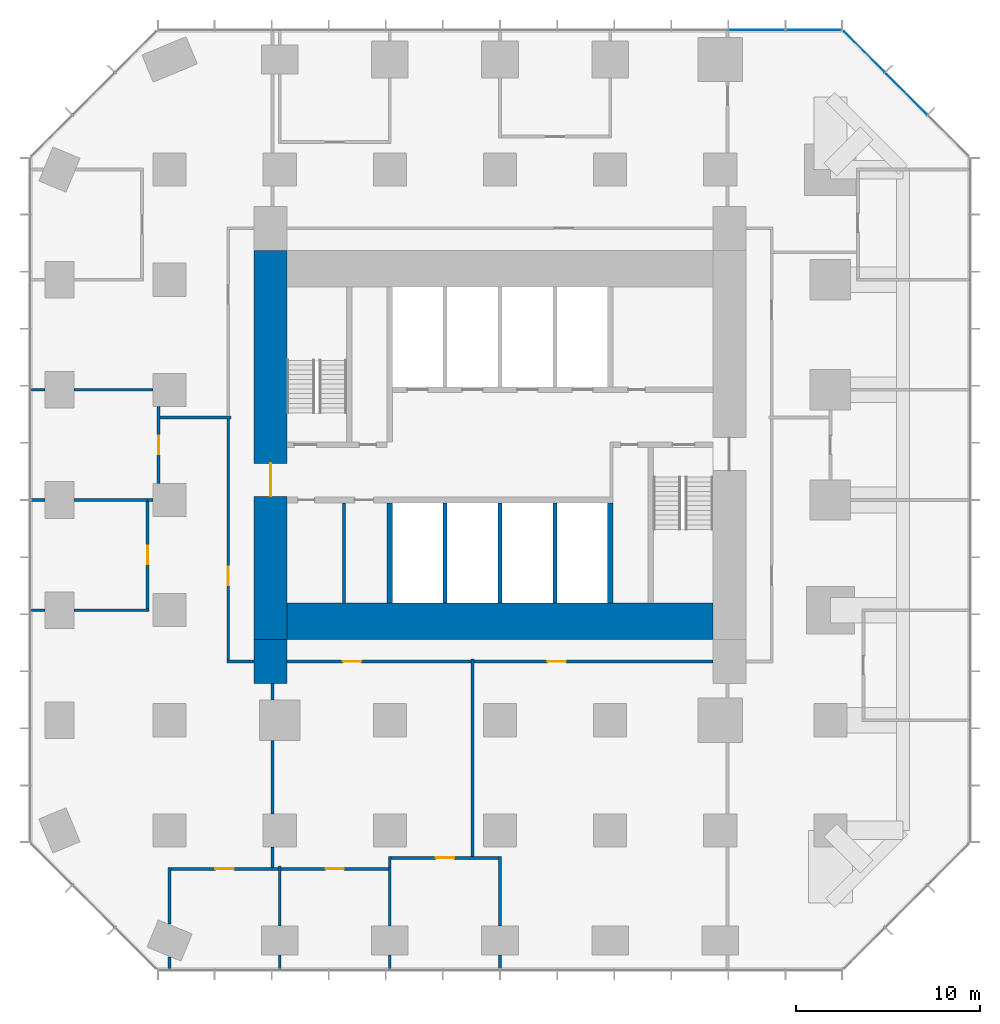
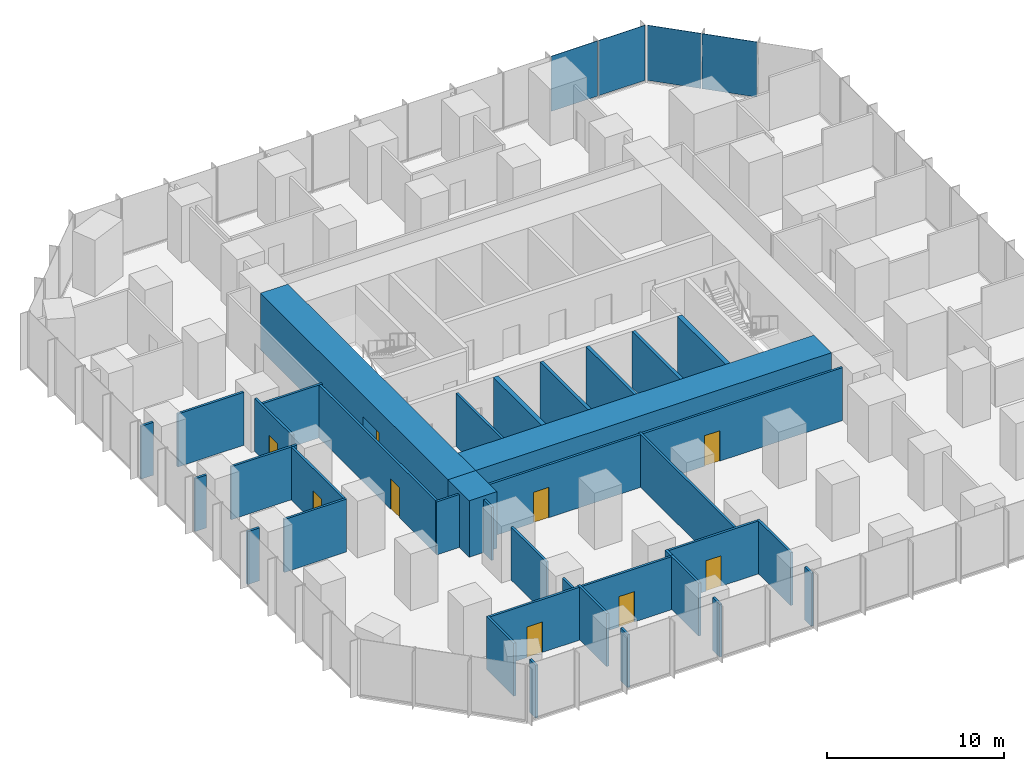
# One storey, part 8 of 12: 39 walls, 9 doors, 4 plates, 9 openings, 2 elements without a shape of their own.
"""IFC4 building model written with IfcOpenShell, lengths in metres."""

from ifc_helpers import new_model, si_unit, direction, frame, frame_2d, origin, origin_2d, place, context, subcontext, project, spatial, rectangle, extrude, material, layer, layer_set, type_object, element, fill, aggregate, save


model = new_model("IFC4")

# Units and contexts
model_context = context("Model", 3, precision=1e-05, world=origin(), true_north=direction((0.0, 1.0)))
body_context = subcontext(model_context, "Body", "Model", "MODEL_VIEW")
ifc_project = project(units=[si_unit("LENGTHUNIT", "METRE"), si_unit("AREAUNIT", "SQUARE_METRE"), si_unit("VOLUMEUNIT", "CUBIC_METRE"), si_unit("PLANEANGLEUNIT", "RADIAN"), si_unit("MASSUNIT", "GRAM", prefix="KILO")], contexts=[model_context])

# Site, building, storey
site_placement = place(None, origin())
site = spatial("IfcSite", under=ifc_project, at=site_placement, CompositionType="ELEMENT")
building_placement = place(site_placement, origin())
building = spatial("IfcBuilding", under=site, at=building_placement, Name="Highveld Stack Headquarters", CompositionType="ELEMENT")
storey_placement = place(building_placement, frame((0.0, 0.0, 45.5)))
storey = spatial("IfcBuildingStorey", under=building, at=storey_placement, Name="L10", CompositionType="ELEMENT", Elevation=45.5)

# Curtain wall, plates
ifc_material_1 = material(Name="Aluminium bronze anodised", Category="aluminium")
ifc_layer_1 = layer(ifc_material_1, 0.199951171875)
ifc_layer_set_1 = layer_set([ifc_layer_1], Name="Aluminium bronze anodised")
curtain_wall_type_1 = type_object("IfcCurtainWallType", Name="CW1 TOWER UNITISED CURTAIN WALL", PredefinedType="NOTDEFINED", material=ifc_layer_set_1)
curtain_wall_1_placement = place(storey_placement, origin())
curtain_wall_1 = element("IfcCurtainWall", 1, at=curtain_wall_1_placement, inside=storey, type_object=curtain_wall_type_1, Name="Curtain wall CW1 L10 N", PredefinedType="NOTDEFINED")
ifc_material_2 = material(Name="Glass bronze tinted double glazed unit", Category="glass")
ifc_layer_2 = layer(ifc_material_2, 0.028076171875)
ifc_layer_set_2 = layer_set([ifc_layer_2], Name="Glass bronze tinted double glazed unit")
plate_type_1 = type_object("IfcPlateType", Name="CW1 PANEL BRONZE TINTED DOUBLE GLAZED UNIT", PredefinedType="CURTAIN_PANEL", material=ifc_layer_set_2)
plate_1_placement = place(storey_placement, frame((23.09130859375, 25.60009765625, 0.10009765625), z_axis=(0.0, 0.0, 1.0), x_axis=(-1.0, 0.0, 0.0)))
plate_1 = element("IfcPlate", 2, at=plate_1_placement, type_object=plate_type_1, Name="CW1 panel L10 1.1", PredefinedType="CURTAIN_PANEL", context=body_context, shape_type="SweptSolid", body=[
    extrude(rectangle(XDim=3.012939453125, YDim=0.028076171875, at=origin_2d()), origin(), (0.0, 0.0, 1.0), 3.800048828125),
])
plate_2_placement = place(storey_placement, frame((19.9970703125, 25.60009765625, 0.10009765625), z_axis=(0.0, 0.0, 1.0), x_axis=(-1.0, 0.0, 0.0)))
plate_2 = element("IfcPlate", 3, at=plate_2_placement, type_object=plate_type_1, Name="CW1 panel L10 2.1", PredefinedType="CURTAIN_PANEL", context=body_context, shape_type="SweptSolid", body=[
    extrude(rectangle(XDim=3.04541015625, YDim=0.028076171875, at=origin_2d()), origin(), (0.0, 0.0, 1.0), 3.800048828125),
])
aggregate(curtain_wall_1, [plate_1, plate_2])

ifc_material_3 = material(Name="Aluminium bronze anodised", Category="aluminium")
ifc_layer_3 = layer(ifc_material_3, 0.199951171875)
ifc_layer_set_3 = layer_set([ifc_layer_3], Name="Aluminium bronze anodised")
curtain_wall_type_2 = type_object("IfcCurtainWallType", Name="CW2 TOWER CHAMFER UNITISED CURTAIN WALL", PredefinedType="NOTDEFINED", material=ifc_layer_set_3)
curtain_wall_2_placement = place(storey_placement, origin())
curtain_wall_2 = element("IfcCurtainWall", 4, at=curtain_wall_2_placement, inside=storey, type_object=curtain_wall_type_2, Name="Curtain wall CW2 L10 NE", PredefinedType="NOTDEFINED")
ifc_material_4 = material(Name="Glass bronze tinted double glazed unit", Category="glass")
ifc_layer_4 = layer(ifc_material_4, 0.028076171875)
ifc_layer_set_4 = layer_set([ifc_layer_4], Name="Glass bronze tinted double glazed unit")
plate_type_2 = type_object("IfcPlateType", Name="CW2 PANEL BRONZE TINTED DOUBLE GLAZED UNIT", PredefinedType="CURTAIN_PANEL", material=ifc_layer_set_4)
plate_3_placement = place(storey_placement, frame((28.13134765625, 22.13134765625, 0.10009765625), z_axis=(0.0, 0.0, 1.0), x_axis=(-0.707106781187, 0.707106781187, 0.0)))
plate_3 = element("IfcPlate", 5, at=plate_3_placement, type_object=plate_type_2, Name="CW2 panel L10 2.1", PredefinedType="CURTAIN_PANEL", context=body_context, shape_type="SweptSolid", body=[
    extrude(rectangle(XDim=3.205322265625, YDim=0.028076171875, at=origin_2d()), origin(), (0.0, 0.0, 1.0), 3.800048828125),
])
plate_4_placement = place(storey_placement, frame((25.8427734375, 24.419921875, 0.10009765625), z_axis=(0.0, 0.0, 1.0), x_axis=(-0.707106781187, 0.707106781187, 0.0)))
plate_4 = element("IfcPlate", 6, at=plate_4_placement, type_object=plate_type_2, Name="CW2 panel L10 3.1", PredefinedType="CURTAIN_PANEL", context=body_context, shape_type="SweptSolid", body=[
    extrude(rectangle(XDim=3.1376953125, YDim=0.028076171875, at=origin_2d()), origin(), (0.0, 0.0, 1.0), 3.800048828125),
])
aggregate(curtain_wall_2, [plate_3, plate_4])

# Wall, opening, door
ifc_material_5 = material(Name="Concrete C60/75", Category="concrete")
ifc_layer_5 = layer(ifc_material_5, 1.800048828125)
ifc_layer_set_5 = layer_set([ifc_layer_5], Name="Concrete C60/75")
wall_type_1 = type_object("IfcWallType", Name="CORE WALL 1800 C60/75", PredefinedType="SHEAR", material=ifc_layer_set_5)
wall_1_placement = place(storey_placement, frame((-6.5, -7.60009765625, 0.0), z_axis=(0.0, 0.0, 1.0), x_axis=(0.0, 1.0, 0.0)))
wall_1 = element("IfcWall", 7, at=wall_1_placement, inside=storey, type_object=wall_type_1, Name="Core wall W L10", PredefinedType="SHEAR", context=body_context, shape_type="SweptSolid", body=[
    extrude(rectangle(XDim=21.2001953125, YDim=1.800048828125, at=frame_2d((10.60009765625, 0.0))), origin(), (0.0, 0.0, 1.0), 3.89990234375),
])
opening_1_placement = place(wall_1_placement, frame((7.800048828125, 0.0, 0.0)))
opening_1 = element("IfcOpeningElement", 8, at=opening_1_placement, cuts=wall_1, Name="Opening L10-01", PredefinedType="OPENING", context=body_context, shape_type="SweptSolid", body=[
    extrude(rectangle(XDim=1.800048828125, YDim=2.39990234375, at=frame_2d((0.89990234375, 1.199951171875))), frame((0.0, 0.909912109375, 0.0), z_axis=(0.0, -1.0, 0.0), x_axis=(1.0, 0.0, 0.0)), (0.0, 0.0, 1.0), 1.820068359375),
])
ifc_material_6 = material(Name="Steel fire door", Category="steel")
door_type_1 = type_object("IfcDoorType", Name="LOBBY FIRE DOOR D4 1800x2400", OperationType="DOUBLE_DOOR_SINGLE_SWING", PredefinedType="DOOR", material=ifc_material_6)
door_1_placement = place(opening_1_placement, origin())
door_1 = element("IfcDoor", 9, at=door_1_placement, inside=storey, type_object=door_type_1, Name="Core west door L10", OperationType="DOUBLE_DOOR_SINGLE_SWING", OverallHeight=2.39990234375, OverallWidth=1.800048828125, PredefinedType="DOOR", context=body_context, shape_type="SweptSolid", body=[
    extrude(rectangle(XDim=1.800048828125, YDim=2.39990234375, at=frame_2d((0.89990234375, 1.199951171875))), frame((0.0, 0.02490234375, 0.0), z_axis=(0.0, -1.0, 0.0), x_axis=(1.0, 0.0, 0.0)), (0.0, 0.0, 1.0), 0.050048828125),
])
fill(opening_1, door_1)

# Walls
ifc_material_7 = material(Name="Concrete C60/75", Category="concrete")
ifc_layer_6 = layer(ifc_material_7, 2.0)
ifc_layer_set_6 = layer_set([ifc_layer_6], Name="Concrete C60/75")
wall_type_2 = type_object("IfcWallType", Name="CORE WALL 2000 C60/75", PredefinedType="SHEAR", material=ifc_layer_set_6)
wall_2_placement = place(storey_placement, frame((-5.60009765625, -6.60009765625, 0.0), z_axis=(0.0, 0.0, 1.0), x_axis=(1.0, 0.0, 0.0)))
element("IfcWall", 10, at=wall_2_placement, inside=storey, type_object=wall_type_2, Name="Core wall S L10", PredefinedType="SHEAR", context=body_context, shape_type="SweptSolid", body=[
    extrude(rectangle(XDim=23.2001953125, YDim=2.0, at=frame_2d((11.60009765625, 0.0))), origin(), (0.0, 0.0, 1.0), 3.89990234375),
])
ifc_material_8 = material(Name="Concrete C60/75", Category="concrete")
ifc_layer_7 = layer(ifc_material_8, 0.300048828125)
ifc_layer_set_7 = layer_set([ifc_layer_7], Name="Concrete C60/75")
wall_type_3 = type_object("IfcWallType", Name="CORE WALL 300 C60/75", PredefinedType="SHEAR", material=ifc_layer_set_7)
for number, where, z_axis, x_axis, name in (
    (11, (0.0, -5.60009765625, 0.0), (0.0, 0.0, 1.0), (0.0, 1.0, 0.0), "Core wall I-X0S L10"),
    (12, (12.0, -5.60009765625, 0.0), (0.0, 0.0, 1.0), (0.0, 1.0, 0.0), "Core wall I-X12S L10"),
):
    element("IfcWall", number, at=place(storey_placement, frame(where, z_axis=z_axis, x_axis=x_axis)), inside=storey, type_object=wall_type_3, Name=name, PredefinedType="SHEAR", context=body_context, shape_type="SweptSolid", body=[
        extrude(rectangle(XDim=5.4501953125, YDim=0.300048828125, at=frame_2d((2.72509765625, 0.0))), origin(), (0.0, 0.0, 1.0), 3.89990234375),
    ])
ifc_material_9 = material(Name="Concrete C60/75", Category="concrete")
ifc_layer_8 = layer(ifc_material_9, 1.800048828125)
ifc_layer_set_8 = layer_set([ifc_layer_8], Name="Concrete C60/75")
wall_type_4 = type_object("IfcWallType", Name="CORE WING WALL 1800 C60/75", PredefinedType="SHEAR", material=ifc_layer_set_8)
wall_3_placement = place(storey_placement, frame((-6.5, -10.0, 0.0), z_axis=(0.0, 0.0, 1.0), x_axis=(0.0, 1.0, 0.0)))
element("IfcWall", 13, at=wall_3_placement, inside=storey, type_object=wall_type_4, Name="Core wing wall WS L10", PredefinedType="SHEAR", context=body_context, shape_type="SweptSolid", body=[
    extrude(rectangle(XDim=2.39990234375, YDim=1.800048828125, at=frame_2d((1.199951171875, 0.0))), origin(), (0.0, 0.0, 1.0), 3.89990234375),
])

# Wall, opening, door
ifc_material_10 = material(Name="Laminated glass in aluminium frame", Category="aluminium")
ifc_layer_9 = layer(ifc_material_10, 0.14990234375)
ifc_layer_set_9 = layer_set([ifc_layer_9], Name="Laminated glass in aluminium frame")
wall_type_5 = type_object("IfcWallType", Name="GLAZED PARTITION 150", PredefinedType="PARTITIONING", material=ifc_layer_set_9)
wall_4_placement = place(storey_placement, frame((-12.60009765625, 0.89990234375, 0.0), z_axis=(0.0, 0.0, 1.0), x_axis=(0.0, 1.0, 0.0)))
wall_4 = element("IfcWall", 14, at=wall_4_placement, inside=storey, type_object=wall_type_5, Name="Glazed partition Video conference room L10", PredefinedType="PARTITIONING", context=body_context, shape_type="SweptSolid", body=[
    extrude(rectangle(XDim=4.2001953125, YDim=0.14990234375, at=frame_2d((2.10009765625, 0.0))), origin(), (0.0, 0.0, 1.0), 3.64990234375),
])
opening_2_placement = place(wall_4_placement, frame((1.60009765625, 0.0, 0.0)))
opening_2 = element("IfcOpeningElement", 15, at=opening_2_placement, cuts=wall_4, Name="Opening L10-14", PredefinedType="OPENING", context=body_context, shape_type="SweptSolid", body=[
    extrude(rectangle(XDim=1.0, YDim=2.10009765625, at=frame_2d((0.5, 1.050048828125))), frame((0.0, 0.0849609375, 0.0), z_axis=(0.0, -1.0, 0.0), x_axis=(1.0, 0.0, 0.0)), (0.0, 0.0, 1.0), 0.169921875),
])
ifc_material_11 = material(Name="Timber door, oiled ash", Category="wood")
door_type_2 = type_object("IfcDoorType", Name="ROOM DOOR D6 1000x2100", OperationType="SINGLE_SWING_LEFT", PredefinedType="DOOR", material=ifc_material_11)
door_2_placement = place(opening_2_placement, origin())
door_2 = element("IfcDoor", 16, at=door_2_placement, inside=storey, type_object=door_type_2, Name="Video conference room door 1 L10", OperationType="SINGLE_SWING_LEFT", OverallHeight=2.10009765625, OverallWidth=1.0, PredefinedType="DOOR", context=body_context, shape_type="SweptSolid", body=[
    extrude(rectangle(XDim=1.0, YDim=2.10009765625, at=frame_2d((0.5, 1.050048828125))), frame((0.0, 0.02490234375, 0.0), z_axis=(0.0, -1.0, 0.0), x_axis=(1.0, 0.0, 0.0)), (0.0, 0.0, 1.0), 0.050048828125),
])
fill(opening_2, door_2)

# Walls
ifc_material_12 = material(Name="Concrete blockwork, fair-faced", Category="masonry")
ifc_layer_10 = layer(ifc_material_12, 0.199951171875)
ifc_layer_set_10 = layer_set([ifc_layer_10], Name="Concrete blockwork, fair-faced")
wall_type_6 = type_object("IfcWallType", Name="LIFT SHAFT ENCLOSURE WALL 200 BLOCKWORK", PredefinedType="SOLIDWALL", material=ifc_layer_set_10)
for number, where, z_axis, x_axis, name in (
    (17, (3.0, -5.60009765625, 0.0), (0.0, 0.0, 1.0), (0.0, 1.0, 0.0), "Lift shaft wall L10"),
    (18, (6.0, -5.60009765625, 0.0), (0.0, 0.0, 1.0), (0.0, 1.0, 0.0), "Lift shaft wall L10"),
    (19, (9.0, -5.60009765625, 0.0), (0.0, 0.0, 1.0), (0.0, 1.0, 0.0), "Lift shaft wall L10"),
):
    element("IfcWall", number, at=place(storey_placement, frame(where, z_axis=z_axis, x_axis=x_axis)), inside=storey, type_object=wall_type_6, Name=name, PredefinedType="SOLIDWALL", context=body_context, shape_type="SweptSolid", body=[
        extrude(rectangle(XDim=5.4501953125, YDim=0.199951171875, at=frame_2d((2.72509765625, 0.0))), origin(), (0.0, 0.0, 1.0), 3.89990234375),
    ])

# Wall, opening, door
ifc_material_13 = material(Name="Gypsum plasterboard on steel studs", Category="steel")
ifc_layer_11 = layer(ifc_material_13, 0.14990234375)
ifc_layer_set_11 = layer_set([ifc_layer_11], Name="Gypsum plasterboard on steel studs")
wall_type_7 = type_object("IfcWallType", Name="PARTITION 150 PLASTERBOARD", PredefinedType="PARTITIONING", material=ifc_layer_set_11)
wall_5_placement = place(storey_placement, frame((-11.925048828125, -20.10009765625, 0.0), z_axis=(0.0, 0.0, 1.0), x_axis=(1.0, 0.0, 0.0)))
wall_5 = element("IfcWall", 20, at=wall_5_placement, inside=storey, type_object=wall_type_7, Name="Partition Focus room L10", PredefinedType="PARTITIONING", context=body_context, shape_type="SweptSolid", body=[
    extrude(rectangle(XDim=5.85009765625, YDim=0.14990234375, at=frame_2d((2.925048828125, 0.0))), origin(), (0.0, 0.0, 1.0), 3.64990234375),
])
opening_3_placement = place(wall_5_placement, frame((2.425048828125, 0.0, 0.0)))
opening_3 = element("IfcOpeningElement", 21, at=opening_3_placement, cuts=wall_5, Name="Opening L10-10", PredefinedType="OPENING", context=body_context, shape_type="SweptSolid", body=[
    extrude(rectangle(XDim=1.0, YDim=2.10009765625, at=frame_2d((0.5, 1.050048828125))), frame((0.0, 0.0849609375, 0.0), z_axis=(0.0, -1.0, 0.0), x_axis=(1.0, 0.0, 0.0)), (0.0, 0.0, 1.0), 0.169921875),
])
door_3_placement = place(opening_3_placement, origin())
door_3 = element("IfcDoor", 22, at=door_3_placement, inside=storey, type_object=door_type_2, Name="Focus room door 1 L10", OperationType="SINGLE_SWING_LEFT", OverallHeight=2.10009765625, OverallWidth=1.0, PredefinedType="DOOR", context=body_context, shape_type="SweptSolid", body=[
    extrude(rectangle(XDim=1.0, YDim=2.10009765625, at=frame_2d((0.5, 1.050048828125))), frame((0.0, 0.02490234375, 0.0), z_axis=(0.0, -1.0, 0.0), x_axis=(1.0, 0.0, 0.0)), (0.0, 0.0, 1.0), 0.050048828125),
])
fill(opening_3, door_3)

wall_6_placement = place(storey_placement, frame((-5.925048828125, -20.10009765625, 0.0), z_axis=(0.0, 0.0, 1.0), x_axis=(1.0, 0.0, 0.0)))
wall_6 = element("IfcWall", 23, at=wall_6_placement, inside=storey, type_object=wall_type_7, Name="Partition Focus room L10", PredefinedType="PARTITIONING", context=body_context, shape_type="SweptSolid", body=[
    extrude(rectangle(XDim=5.85009765625, YDim=0.14990234375, at=frame_2d((2.925048828125, 0.0))), origin(), (0.0, 0.0, 1.0), 3.64990234375),
])
opening_4_placement = place(wall_6_placement, frame((2.425048828125, 0.0, 0.0)))
opening_4 = element("IfcOpeningElement", 24, at=opening_4_placement, cuts=wall_6, Name="Opening L10-11", PredefinedType="OPENING", context=body_context, shape_type="SweptSolid", body=[
    extrude(rectangle(XDim=1.0, YDim=2.10009765625, at=frame_2d((0.5, 1.050048828125))), frame((0.0, 0.0849609375, 0.0), z_axis=(0.0, -1.0, 0.0), x_axis=(1.0, 0.0, 0.0)), (0.0, 0.0, 1.0), 0.169921875),
])
door_4_placement = place(opening_4_placement, origin())
door_4 = element("IfcDoor", 25, at=door_4_placement, inside=storey, type_object=door_type_2, Name="Focus room door 1 L10", OperationType="SINGLE_SWING_RIGHT", OverallHeight=2.10009765625, OverallWidth=1.0, PredefinedType="DOOR", context=body_context, shape_type="SweptSolid", body=[
    extrude(rectangle(XDim=1.0, YDim=2.10009765625, at=frame_2d((0.5, 1.050048828125))), frame((0.0, 0.02490234375, 0.0), z_axis=(0.0, -1.0, 0.0), x_axis=(1.0, 0.0, 0.0)), (0.0, 0.0, 1.0), 0.050048828125),
])
fill(opening_4, door_4)

wall_7_placement = place(storey_placement, frame((0.074951171875, -19.5, 0.0), z_axis=(0.0, 0.0, 1.0), x_axis=(1.0, 0.0, 0.0)))
wall_7 = element("IfcWall", 26, at=wall_7_placement, inside=storey, type_object=wall_type_7, Name="Partition Quiet room L10", PredefinedType="PARTITIONING", context=body_context, shape_type="SweptSolid", body=[
    extrude(rectangle(XDim=5.85009765625, YDim=0.14990234375, at=frame_2d((2.925048828125, 0.0))), origin(), (0.0, 0.0, 1.0), 3.64990234375),
])
opening_5_placement = place(wall_7_placement, frame((2.425048828125, 0.0, 0.0)))
opening_5 = element("IfcOpeningElement", 27, at=opening_5_placement, cuts=wall_7, Name="Opening L10-12", PredefinedType="OPENING", context=body_context, shape_type="SweptSolid", body=[
    extrude(rectangle(XDim=1.0, YDim=2.10009765625, at=frame_2d((0.5, 1.050048828125))), frame((0.0, 0.0849609375, 0.0), z_axis=(0.0, -1.0, 0.0), x_axis=(1.0, 0.0, 0.0)), (0.0, 0.0, 1.0), 0.169921875),
])
door_5_placement = place(opening_5_placement, origin())
door_5 = element("IfcDoor", 28, at=door_5_placement, inside=storey, type_object=door_type_2, Name="Quiet room door 1 L10", OperationType="SINGLE_SWING_RIGHT", OverallHeight=2.10009765625, OverallWidth=1.0, PredefinedType="DOOR", context=body_context, shape_type="SweptSolid", body=[
    extrude(rectangle(XDim=1.0, YDim=2.10009765625, at=frame_2d((0.5, 1.050048828125))), frame((0.0, 0.02490234375, 0.0), z_axis=(0.0, -1.0, 0.0), x_axis=(1.0, 0.0, 0.0)), (0.0, 0.0, 1.0), 0.050048828125),
])
fill(opening_5, door_5)

# Walls
wall_8_placement = place(storey_placement, frame((-19.60009765625, -6.0, 0.0), z_axis=(0.0, 0.0, 1.0), x_axis=(1.0, 0.0, 0.0)))
element("IfcWall", 29, at=wall_8_placement, inside=storey, type_object=wall_type_7, Name="Partition Tea kitchen L10", PredefinedType="PARTITIONING", context=body_context, shape_type="SweptSolid", body=[
    extrude(rectangle(XDim=0.800048828125, YDim=0.14990234375, at=frame_2d((0.39990234375, 0.0))), origin(), (0.0, 0.0, 1.0), 3.64990234375),
])
wall_9_placement = place(storey_placement, frame((-17.199951171875, -6.0, 0.0), z_axis=(0.0, 0.0, 1.0), x_axis=(1.0, 0.0, 0.0)))
element("IfcWall", 30, at=wall_9_placement, inside=storey, type_object=wall_type_7, Name="Partition Tea kitchen L10", PredefinedType="PARTITIONING", context=body_context, shape_type="SweptSolid", body=[
    extrude(rectangle(XDim=4.074951171875, YDim=0.14990234375, at=frame_2d((2.03759765625, 0.0))), origin(), (0.0, 0.0, 1.0), 3.64990234375),
])
wall_10_placement = place(storey_placement, frame((-19.550048828125, 0.0, 0.0), z_axis=(0.0, 0.0, 1.0), x_axis=(1.0, 0.0, 0.0)))
element("IfcWall", 31, at=wall_10_placement, inside=storey, type_object=wall_type_7, Name="Partition Tea kitchen / Video conference room L10", PredefinedType="PARTITIONING", context=body_context, shape_type="SweptSolid", body=[
    extrude(rectangle(XDim=0.75, YDim=0.14990234375, at=frame_2d((0.375, 0.0))), origin(), (0.0, 0.0, 1.0), 3.64990234375),
])
wall_11_placement = place(storey_placement, frame((-17.199951171875, 0.0, 0.0), z_axis=(0.0, 0.0, 1.0), x_axis=(1.0, 0.0, 0.0)))
element("IfcWall", 32, at=wall_11_placement, inside=storey, type_object=wall_type_7, Name="Partition Tea kitchen / Video conference room L10", PredefinedType="PARTITIONING", context=body_context, shape_type="SweptSolid", body=[
    extrude(rectangle(XDim=4.074951171875, YDim=0.14990234375, at=frame_2d((2.03759765625, 0.0))), origin(), (0.0, 0.0, 1.0), 3.64990234375),
])
wall_12_placement = place(storey_placement, frame((-13.199951171875, 0.0, 0.0), z_axis=(0.0, 0.0, 1.0), x_axis=(1.0, 0.0, 0.0)))
element("IfcWall", 33, at=wall_12_placement, inside=storey, type_object=wall_type_7, Name="Partition Video conference room L10", PredefinedType="PARTITIONING", context=body_context, shape_type="SweptSolid", body=[
    extrude(rectangle(XDim=0.300048828125, YDim=0.14990234375, at=frame_2d((0.14990234375, 0.0))), origin(), (0.0, 0.0, 1.0), 3.64990234375),
])
wall_13_placement = place(storey_placement, frame((-19.60009765625, 6.0, 0.0), z_axis=(0.0, 0.0, 1.0), x_axis=(1.0, 0.0, 0.0)))
element("IfcWall", 34, at=wall_13_placement, inside=storey, type_object=wall_type_7, Name="Partition Video conference room L10", PredefinedType="PARTITIONING", context=body_context, shape_type="SweptSolid", body=[
    extrude(rectangle(XDim=0.800048828125, YDim=0.14990234375, at=frame_2d((0.39990234375, 0.0))), origin(), (0.0, 0.0, 1.0), 3.64990234375),
])
wall_14_placement = place(storey_placement, frame((-17.199951171875, 6.0, 0.0), z_axis=(0.0, 0.0, 1.0), x_axis=(1.0, 0.0, 0.0)))
element("IfcWall", 35, at=wall_14_placement, inside=storey, type_object=wall_type_7, Name="Partition Video conference room L10", PredefinedType="PARTITIONING", context=body_context, shape_type="SweptSolid", body=[
    extrude(rectangle(XDim=4.300048828125, YDim=0.14990234375, at=frame_2d((2.14990234375, 0.0))), origin(), (0.0, 0.0, 1.0), 3.64990234375),
])

# Wall, opening, door
wall_15_placement = place(storey_placement, frame((-13.199951171875, -5.925048828125, 0.0), z_axis=(0.0, 0.0, 1.0), x_axis=(0.0, 1.0, 0.0)))
wall_15 = element("IfcWall", 36, at=wall_15_placement, inside=storey, type_object=wall_type_7, Name="Partition Tea kitchen L10", PredefinedType="PARTITIONING", context=body_context, shape_type="SweptSolid", body=[
    extrude(rectangle(XDim=5.85009765625, YDim=0.14990234375, at=frame_2d((2.925048828125, 0.0))), origin(), (0.0, 0.0, 1.0), 3.64990234375),
])
opening_6_placement = place(wall_15_placement, frame((2.425048828125, 0.0, 0.0)))
opening_6 = element("IfcOpeningElement", 37, at=opening_6_placement, cuts=wall_15, Name="Opening L10-13", PredefinedType="OPENING", context=body_context, shape_type="SweptSolid", body=[
    extrude(rectangle(XDim=1.0, YDim=2.10009765625, at=frame_2d((0.5, 1.050048828125))), frame((0.0, 0.0849609375, 0.0), z_axis=(0.0, -1.0, 0.0), x_axis=(1.0, 0.0, 0.0)), (0.0, 0.0, 1.0), 0.169921875),
])
door_6_placement = place(opening_6_placement, origin())
door_6 = element("IfcDoor", 38, at=door_6_placement, inside=storey, type_object=door_type_2, Name="Tea kitchen door 1 L10", OperationType="SINGLE_SWING_RIGHT", OverallHeight=2.10009765625, OverallWidth=1.0, PredefinedType="DOOR", context=body_context, shape_type="SweptSolid", body=[
    extrude(rectangle(XDim=1.0, YDim=2.10009765625, at=frame_2d((0.5, 1.050048828125))), frame((0.0, 0.02490234375, 0.0), z_axis=(0.0, -1.0, 0.0), x_axis=(1.0, 0.0, 0.0)), (0.0, 0.0, 1.0), 0.050048828125),
])
fill(opening_6, door_6)

# Walls
wall_16_placement = place(storey_placement, frame((-12.0, -25.60009765625, 0.0), z_axis=(0.0, 0.0, 1.0), x_axis=(0.0, 1.0, 0.0)))
element("IfcWall", 39, at=wall_16_placement, inside=storey, type_object=wall_type_7, Name="Partition Focus room L10", PredefinedType="PARTITIONING", context=body_context, shape_type="SweptSolid", body=[
    extrude(rectangle(XDim=0.703125, YDim=0.14990234375, at=frame_2d((0.3515625, 0.0))), origin(), (0.0, 0.0, 1.0), 3.64990234375),
])
wall_17_placement = place(storey_placement, frame((-12.0, -23.10302734375, 0.0), z_axis=(0.0, 0.0, 1.0), x_axis=(0.0, 1.0, 0.0)))
element("IfcWall", 40, at=wall_17_placement, inside=storey, type_object=wall_type_7, Name="Partition Focus room L10", PredefinedType="PARTITIONING", context=body_context, shape_type="SweptSolid", body=[
    extrude(rectangle(XDim=3.078125, YDim=0.14990234375, at=frame_2d((1.5390625, 0.0))), origin(), (0.0, 0.0, 1.0), 3.64990234375),
])
wall_18_placement = place(storey_placement, frame((-6.0, -25.60009765625, 0.0), z_axis=(0.0, 0.0, 1.0), x_axis=(0.0, 1.0, 0.0)))
element("IfcWall", 41, at=wall_18_placement, inside=storey, type_object=wall_type_7, Name="Partition Focus room L10", PredefinedType="PARTITIONING", context=body_context, shape_type="SweptSolid", body=[
    extrude(rectangle(XDim=0.800048828125, YDim=0.14990234375, at=frame_2d((0.39990234375, 0.0))), origin(), (0.0, 0.0, 1.0), 3.64990234375),
])
wall_19_placement = place(storey_placement, frame((-6.0, -23.199951171875, 0.0), z_axis=(0.0, 0.0, 1.0), x_axis=(0.0, 1.0, 0.0)))
element("IfcWall", 42, at=wall_19_placement, inside=storey, type_object=wall_type_7, Name="Partition Focus room L10", PredefinedType="PARTITIONING", context=body_context, shape_type="SweptSolid", body=[
    extrude(rectangle(XDim=3.25, YDim=0.14990234375, at=frame_2d((1.625, 0.0))), origin(), (0.0, 0.0, 1.0), 3.64990234375),
])
wall_20_placement = place(storey_placement, frame((0.0, -25.60009765625, 0.0), z_axis=(0.0, 0.0, 1.0), x_axis=(0.0, 1.0, 0.0)))
element("IfcWall", 43, at=wall_20_placement, inside=storey, type_object=wall_type_7, Name="Partition Focus room / Quiet room L10", PredefinedType="PARTITIONING", context=body_context, shape_type="SweptSolid", body=[
    extrude(rectangle(XDim=0.800048828125, YDim=0.14990234375, at=frame_2d((0.39990234375, 0.0))), origin(), (0.0, 0.0, 1.0), 3.64990234375),
])
wall_21_placement = place(storey_placement, frame((0.0, -23.199951171875, 0.0), z_axis=(0.0, 0.0, 1.0), x_axis=(0.0, 1.0, 0.0)))
element("IfcWall", 44, at=wall_21_placement, inside=storey, type_object=wall_type_7, Name="Partition Focus room / Quiet room L10", PredefinedType="PARTITIONING", context=body_context, shape_type="SweptSolid", body=[
    extrude(rectangle(XDim=3.175048828125, YDim=0.14990234375, at=frame_2d((1.58740234375, 0.0))), origin(), (0.0, 0.0, 1.0), 3.64990234375),
])
wall_22_placement = place(storey_placement, frame((0.0, -20.02490234375, 0.0), z_axis=(0.0, 0.0, 1.0), x_axis=(0.0, 1.0, 0.0)))
element("IfcWall", 45, at=wall_22_placement, inside=storey, type_object=wall_type_7, Name="Partition Quiet room L10", PredefinedType="PARTITIONING", context=body_context, shape_type="SweptSolid", body=[
    extrude(rectangle(XDim=0.599853515625, YDim=0.14990234375, at=frame_2d((0.2998046875, 0.0))), origin(), (0.0, 0.0, 1.0), 3.64990234375),
])
wall_23_placement = place(storey_placement, frame((6.0, -25.550048828125, 0.0), z_axis=(0.0, 0.0, 1.0), x_axis=(0.0, 1.0, 0.0)))
element("IfcWall", 46, at=wall_23_placement, inside=storey, type_object=wall_type_7, Name="Partition Quiet room L10", PredefinedType="PARTITIONING", context=body_context, shape_type="SweptSolid", body=[
    extrude(rectangle(XDim=0.75, YDim=0.14990234375, at=frame_2d((0.375, 0.0))), origin(), (0.0, 0.0, 1.0), 3.64990234375),
])
wall_24_placement = place(storey_placement, frame((6.0, -23.199951171875, 0.0), z_axis=(0.0, 0.0, 1.0), x_axis=(0.0, 1.0, 0.0)))
element("IfcWall", 47, at=wall_24_placement, inside=storey, type_object=wall_type_7, Name="Partition Quiet room L10", PredefinedType="PARTITIONING", context=body_context, shape_type="SweptSolid", body=[
    extrude(rectangle(XDim=3.77490234375, YDim=0.14990234375, at=frame_2d((1.887451171875, 0.0))), origin(), (0.0, 0.0, 1.0), 3.64990234375),
])
wall_25_placement = place(storey_placement, frame((-12.52490234375, 4.5, 0.0), z_axis=(0.0, 0.0, 1.0), x_axis=(1.0, 0.0, 0.0)))
element("IfcWall", 48, at=wall_25_placement, inside=storey, type_object=wall_type_7, Name="Partition office neighbourhood L10", PredefinedType="PARTITIONING", context=body_context, shape_type="SweptSolid", body=[
    extrude(rectangle(XDim=3.875, YDim=0.14990234375, at=frame_2d((1.9375, 0.0))), origin(), (0.0, 0.0, 1.0), 3.64990234375),
])

# Wall, opening, door
wall_26_placement = place(storey_placement, frame((-8.800048828125, -8.72509765625, 0.0), z_axis=(0.0, 0.0, 1.0), x_axis=(0.0, 1.0, 0.0)))
wall_26 = element("IfcWall", 49, at=wall_26_placement, inside=storey, type_object=wall_type_7, Name="Partition office neighbourhood L10", PredefinedType="PARTITIONING", context=body_context, shape_type="SweptSolid", body=[
    extrude(rectangle(XDim=13.150146484375, YDim=0.14990234375, at=frame_2d((6.5751953125, 0.0))), origin(), (0.0, 0.0, 1.0), 3.64990234375),
])
opening_7_placement = place(wall_26_placement, frame((4.080078125, 0.0, 0.0)))
opening_7 = element("IfcOpeningElement", 50, at=opening_7_placement, cuts=wall_26, Name="Opening L10-24", PredefinedType="OPENING", context=body_context, shape_type="SweptSolid", body=[
    extrude(rectangle(XDim=1.0, YDim=2.10009765625, at=frame_2d((0.5, 1.050048828125))), frame((0.0, 0.0849609375, 0.0), z_axis=(0.0, -1.0, 0.0), x_axis=(1.0, 0.0, 0.0)), (0.0, 0.0, 1.0), 0.169921875),
])
door_7_placement = place(opening_7_placement, origin())
door_7 = element("IfcDoor", 51, at=door_7_placement, inside=storey, type_object=door_type_2, Name="Office neighbourhood door L10", OperationType="SINGLE_SWING_LEFT", OverallHeight=2.10009765625, OverallWidth=1.0, PredefinedType="DOOR", context=body_context, shape_type="SweptSolid", body=[
    extrude(rectangle(XDim=1.0, YDim=2.10009765625, at=frame_2d((0.5, 1.050048828125))), frame((0.0, 0.02490234375, 0.0), z_axis=(0.0, -1.0, 0.0), x_axis=(1.0, 0.0, 0.0)), (0.0, 0.0, 1.0), 0.050048828125),
])
fill(opening_7, door_7)

# Walls
wall_27_placement = place(storey_placement, frame((-8.875, -8.800048828125, 0.0), z_axis=(0.0, 0.0, 1.0), x_axis=(1.0, 0.0, 0.0)))
element("IfcWall", 52, at=wall_27_placement, inside=storey, type_object=wall_type_7, Name="Partition office neighbourhood L10", PredefinedType="PARTITIONING", context=body_context, shape_type="SweptSolid", body=[
    extrude(rectangle(XDim=1.47509765625, YDim=0.14990234375, at=frame_2d((0.737548828125, 0.0))), origin(), (0.0, 0.0, 1.0), 3.64990234375),
])
wall_28_placement = place(storey_placement, frame((-6.39990234375, -20.02490234375, 0.0), z_axis=(0.0, 0.0, 1.0), x_axis=(0.0, 1.0, 0.0)))
element("IfcWall", 53, at=wall_28_placement, inside=storey, type_object=wall_type_7, Name="Partition office neighbourhood L10", PredefinedType="PARTITIONING", context=body_context, shape_type="SweptSolid", body=[
    extrude(rectangle(XDim=1.125, YDim=0.14990234375, at=frame_2d((0.5625, 0.0))), origin(), (0.0, 0.0, 1.0), 3.64990234375),
])
wall_29_placement = place(storey_placement, frame((-6.39990234375, -17.10009765625, 0.0), z_axis=(0.0, 0.0, 1.0), x_axis=(0.0, 1.0, 0.0)))
element("IfcWall", 54, at=wall_29_placement, inside=storey, type_object=wall_type_7, Name="Partition office neighbourhood L10", PredefinedType="PARTITIONING", context=body_context, shape_type="SweptSolid", body=[
    extrude(rectangle(XDim=4.0, YDim=0.14990234375, at=frame_2d((2.0, 0.0))), origin(), (0.0, 0.0, 1.0), 3.64990234375),
])
wall_30_placement = place(storey_placement, frame((-6.39990234375, -10.89990234375, 0.0), z_axis=(0.0, 0.0, 1.0), x_axis=(0.0, 1.0, 0.0)))
element("IfcWall", 55, at=wall_30_placement, inside=storey, type_object=wall_type_7, Name="Partition office neighbourhood L10", PredefinedType="PARTITIONING", context=body_context, shape_type="SweptSolid", body=[
    extrude(rectangle(XDim=0.89990234375, YDim=0.14990234375, at=frame_2d((0.449951171875, 0.0))), origin(), (0.0, 0.0, 1.0), 3.64990234375),
])

# Wall, opening, door
wall_31_placement = place(storey_placement, frame((-5.60009765625, -8.800048828125, 0.0), z_axis=(0.0, 0.0, 1.0), x_axis=(1.0, 0.0, 0.0)))
wall_31 = element("IfcWall", 56, at=wall_31_placement, inside=storey, type_object=wall_type_7, Name="Partition office neighbourhood L10", PredefinedType="PARTITIONING", context=body_context, shape_type="SweptSolid", body=[
    extrude(rectangle(XDim=10.025146484375, YDim=0.14990234375, at=frame_2d((5.0126953125, 0.0))), origin(), (0.0, 0.0, 1.0), 3.64990234375),
])
opening_8_placement = place(wall_31_placement, frame((3.034912109375, 0.0, 0.0)))
opening_8 = element("IfcOpeningElement", 57, at=opening_8_placement, cuts=wall_31, Name="Opening L10-22", PredefinedType="OPENING", context=body_context, shape_type="SweptSolid", body=[
    extrude(rectangle(XDim=1.0, YDim=2.10009765625, at=frame_2d((0.5, 1.050048828125))), frame((0.0, 0.0849609375, 0.0), z_axis=(0.0, -1.0, 0.0), x_axis=(1.0, 0.0, 0.0)), (0.0, 0.0, 1.0), 0.169921875),
])
door_8_placement = place(opening_8_placement, origin())
door_8 = element("IfcDoor", 58, at=door_8_placement, inside=storey, type_object=door_type_2, Name="Office neighbourhood door L10", OperationType="SINGLE_SWING_LEFT", OverallHeight=2.10009765625, OverallWidth=1.0, PredefinedType="DOOR", context=body_context, shape_type="SweptSolid", body=[
    extrude(rectangle(XDim=1.0, YDim=2.10009765625, at=frame_2d((0.5, 1.050048828125))), frame((0.0, 0.02490234375, 0.0), z_axis=(0.0, -1.0, 0.0), x_axis=(1.0, 0.0, 0.0)), (0.0, 0.0, 1.0), 0.050048828125),
])
fill(opening_8, door_8)

# Wall
wall_32_placement = place(storey_placement, frame((4.5, -19.425048828125, 0.0), z_axis=(0.0, 0.0, 1.0), x_axis=(0.0, 1.0, 0.0)))
element("IfcWall", 59, at=wall_32_placement, inside=storey, type_object=wall_type_7, Name="Partition office neighbourhood L10", PredefinedType="PARTITIONING", context=body_context, shape_type="SweptSolid", body=[
    extrude(rectangle(XDim=10.775146484375, YDim=0.14990234375, at=frame_2d((5.3876953125, 0.0))), origin(), (0.0, 0.0, 1.0), 3.64990234375),
])

# Wall, opening, door
wall_33_placement = place(storey_placement, frame((4.574951171875, -8.800048828125, 0.0), z_axis=(0.0, 0.0, 1.0), x_axis=(1.0, 0.0, 0.0)))
wall_33 = element("IfcWall", 60, at=wall_33_placement, inside=storey, type_object=wall_type_7, Name="Partition office neighbourhood L10", PredefinedType="PARTITIONING", context=body_context, shape_type="SweptSolid", body=[
    extrude(rectangle(XDim=13.025146484375, YDim=0.14990234375, at=frame_2d((6.5126953125, 0.0))), origin(), (0.0, 0.0, 1.0), 3.64990234375),
])
opening_9_placement = place(wall_33_placement, frame((4.010009765625, 0.0, 0.0)))
opening_9 = element("IfcOpeningElement", 61, at=opening_9_placement, cuts=wall_33, Name="Opening L10-21", PredefinedType="OPENING", context=body_context, shape_type="SweptSolid", body=[
    extrude(rectangle(XDim=1.0, YDim=2.10009765625, at=frame_2d((0.5, 1.050048828125))), frame((0.0, 0.0849609375, 0.0), z_axis=(0.0, -1.0, 0.0), x_axis=(1.0, 0.0, 0.0)), (0.0, 0.0, 1.0), 0.169921875),
])
door_9_placement = place(opening_9_placement, origin())
door_9 = element("IfcDoor", 62, at=door_9_placement, inside=storey, type_object=door_type_2, Name="Office neighbourhood door L10", OperationType="SINGLE_SWING_LEFT", OverallHeight=2.10009765625, OverallWidth=1.0, PredefinedType="DOOR", context=body_context, shape_type="SweptSolid", body=[
    extrude(rectangle(XDim=1.0, YDim=2.10009765625, at=frame_2d((0.5, 1.050048828125))), frame((0.0, 0.02490234375, 0.0), z_axis=(0.0, -1.0, 0.0), x_axis=(1.0, 0.0, 0.0)), (0.0, 0.0, 1.0), 0.050048828125),
])
fill(opening_9, door_9)

# Wall
ifc_material_14 = material(Name="Concrete blockwork, tiled", Category="masonry")
ifc_layer_12 = layer(ifc_material_14, 0.14990234375)
ifc_layer_set_12 = layer_set([ifc_layer_12], Name="Concrete blockwork, tiled")
wall_type_8 = type_object("IfcWallType", Name="WC PARTITION 150", PredefinedType="PLUMBINGWALL", material=ifc_layer_set_12)
wall_34_placement = place(storey_placement, frame((-2.5, -5.60009765625, 0.0), z_axis=(0.0, 0.0, 1.0), x_axis=(0.0, 1.0, 0.0)))
element("IfcWall", 63, at=wall_34_placement, inside=storey, type_object=wall_type_8, Name="Toilet partition L10", PredefinedType="PLUMBINGWALL", context=body_context, shape_type="SweptSolid", body=[
    extrude(rectangle(XDim=5.4501953125, YDim=0.14990234375, at=frame_2d((2.72509765625, 0.0))), origin(), (0.0, 0.0, 1.0), 3.64990234375),
])

save(model, "model.ifc")
